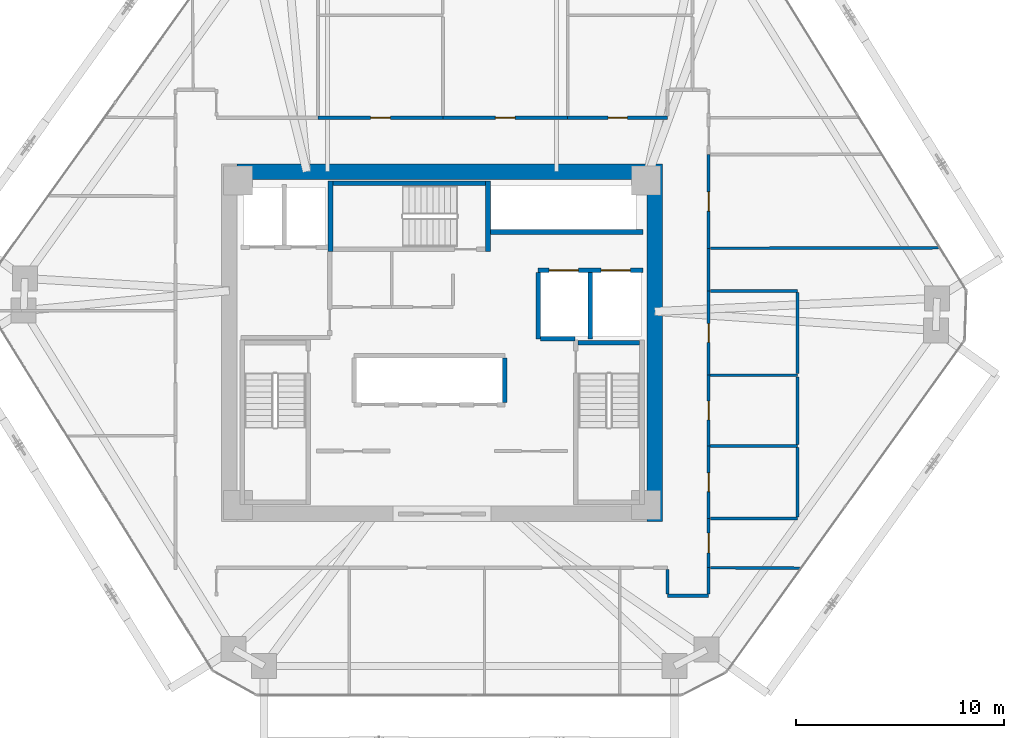
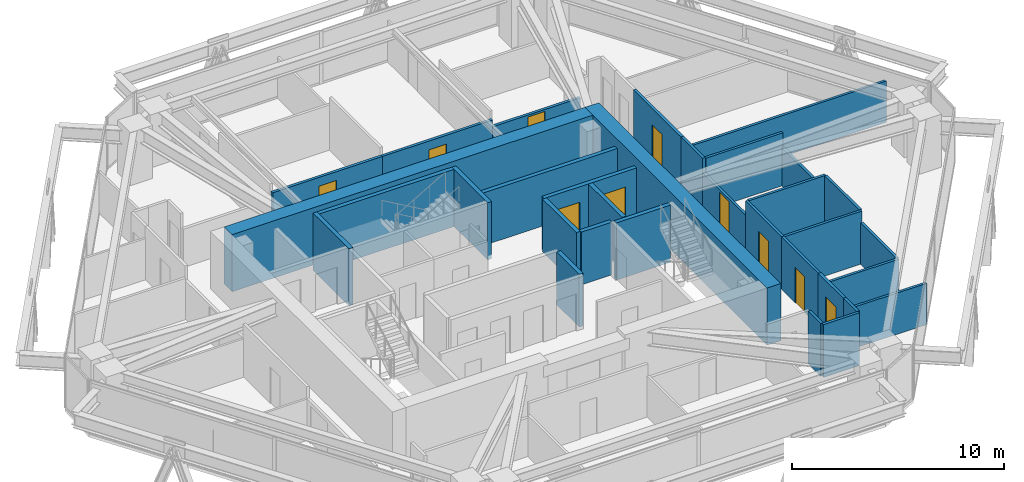
# One storey, part 14 of 16: 33 walls, 10 doors, 10 openings.
"""IFC4 building model written with IfcOpenShell, lengths in metres."""

from ifc_helpers import new_model, si_unit, direction, frame, frame_2d, origin, place, context, subcontext, project, spatial, rectangle, extrude, source, transform, mapped, material, layer, layer_set, type_object, type_shapes, element, fill, save


model = new_model("IFC4")

# Units and contexts
model_context = context("Model", 3, precision=1e-05, world=origin(), true_north=direction((0.0, 1.0)))
body_context = subcontext(model_context, "Body", "Model", "MODEL_VIEW")
ifc_project = project(units=[si_unit("LENGTHUNIT", "METRE"), si_unit("AREAUNIT", "SQUARE_METRE"), si_unit("VOLUMEUNIT", "CUBIC_METRE"), si_unit("PLANEANGLEUNIT", "RADIAN"), si_unit("MASSUNIT", "GRAM", prefix="KILO")], contexts=[model_context])

# Site, building, storey
site_placement = place(None, origin())
site = spatial("IfcSite", under=ifc_project, at=site_placement, CompositionType="ELEMENT")
building_placement = place(site_placement, origin())
building = spatial("IfcBuilding", under=site, at=building_placement, Name="Durnholm Broadcast Tower", CompositionType="ELEMENT")
storey_placement = place(building_placement, frame((0.0, 0.0, 117.300048828125)))
storey = spatial("IfcBuildingStorey", under=building, at=storey_placement, Name="L31", CompositionType="ELEMENT", Elevation=117.300048828125)

# Walls
ifc_material_1 = material(Name="Concrete C70/85", Category="concrete")
ifc_layer_1 = layer(ifc_material_1, 0.75)
ifc_layer_set_1 = layer_set([ifc_layer_1], Name="Concrete C70/85")
wall_type_1 = type_object("IfcWallType", Name="WALL-CW-750", PredefinedType="SHEAR", material=ifc_layer_set_1)
wall_1_placement = place(storey_placement, frame((10.22509765625, -8.60009765625, 0.0), z_axis=(0.0, 0.0, 1.0), x_axis=(0.0, 1.0, 0.0)))
element("IfcWall", 1, at=wall_1_placement, inside=storey, type_object=wall_type_1, Name="L31 central core shear wall CW-EAST", PredefinedType="SHEAR", context=body_context, shape_type="SweptSolid", body=[
    extrude(rectangle(XDim=17.2001953125, YDim=0.75, at=frame_2d((8.60009765625, 0.0))), origin(), (0.0, 0.0, 1.0), 3.300048828125),
])
wall_2_placement = place(storey_placement, frame((-9.85009765625, 8.22509765625, 0.0), z_axis=(0.0, 0.0, 1.0), x_axis=(1.0, 0.0, 0.0)))
element("IfcWall", 2, at=wall_2_placement, inside=storey, type_object=wall_type_1, Name="L31 central core shear wall CW-N", PredefinedType="SHEAR", context=body_context, shape_type="SweptSolid", body=[
    extrude(rectangle(XDim=19.7001953125, YDim=0.75, at=frame_2d((9.85009765625, 0.0))), origin(), (0.0, 0.0, 1.0), 3.300048828125),
])
ifc_material_2 = material(Name="Gypsum Metal Stud Partition", Category="concrete")
ifc_layer_2 = layer(ifc_material_2, 0.135009765625)
ifc_layer_set_2 = layer_set([ifc_layer_2], Name="Gypsum Metal Stud Partition")
wall_type_2 = type_object("IfcWallType", Name="WALL-PART-135", PredefinedType="PARTITIONING", material=ifc_layer_set_2)
wall_3_placement = place(storey_placement, frame((12.888916015625, -10.810302734375, 0.0), z_axis=(0.0, 0.0, 1.0), x_axis=(0.999986140562, -0.005264853658, 0.0)))
element("IfcWall", 3, at=wall_3_placement, inside=storey, type_object=wall_type_2, Name="L31 room dividing partition 19.24", PredefinedType="PARTITIONING", context=body_context, shape_type="SweptSolid", body=[
    extrude(rectangle(XDim=4.35888671875, YDim=0.135009765625, at=frame_2d((2.179443359375, 0.0))), origin(), (0.0, 0.0, 1.0), 2.3798828125),
])
wall_4_placement = place(storey_placement, frame((12.888916015625, 4.5400390625, 0.0), z_axis=(0.0, 0.0, 1.0), x_axis=(0.999998190037, 0.00190260933, 0.0)))
element("IfcWall", 4, at=wall_4_placement, inside=storey, type_object=wall_type_2, Name="L31 room dividing partition 24.25", PredefinedType="PARTITIONING", context=body_context, shape_type="SweptSolid", body=[
    extrude(rectangle(XDim=11.035400390625, YDim=0.135009765625, at=frame_2d((5.517578125, 0.0))), origin(), (0.0, 0.0, 1.0), 2.3798828125),
])

# Wall, opening, door
ifc_material_3 = material(Name="Acoustic Gypsum Stud Partition", Category="concrete")
ifc_layer_3 = layer(ifc_material_3, 0.14990234375)
ifc_layer_set_3 = layer_set([ifc_layer_3], Name="Acoustic Gypsum Stud Partition")
wall_type_3 = type_object("IfcWallType", Name="WALL-PART-150", PredefinedType="PARTITIONING", material=ifc_layer_set_3)
wall_5_placement = place(storey_placement, frame((0.0400390625, 10.81005859375, 0.0), z_axis=(0.0, 0.0, 1.0), x_axis=(-1.0, 0.0, 0.0)))
wall_5 = element("IfcWall", 5, at=wall_5_placement, inside=storey, type_object=wall_type_3, Name="L31 Affiliate Dining Room corridor partition", PredefinedType="PARTITIONING", context=body_context, shape_type="SweptSolid", body=[
    extrude(rectangle(XDim=6.0, YDim=0.14990234375, at=frame_2d((3.0, 0.0))), origin(), (0.0, 0.0, 1.0), 2.608154296875),
])
opening_1_placement = place(wall_5_placement, frame((2.52490234375, 0.0, 0.0)))
opening_1 = element("IfcOpeningElement", 6, at=opening_1_placement, cuts=wall_5, Name="Opening DR-95L", PredefinedType="OPENING", context=body_context, shape_type="SweptSolid", body=[
    extrude(rectangle(XDim=0.949951171875, YDim=2.10009765625, at=frame_2d((0.47509765625, 1.050048828125))), frame((0.0, 0.0849609375, 0.0), z_axis=(0.0, -1.0, 0.0), x_axis=(1.0, 0.0, 0.0)), (0.0, 0.0, 1.0), 0.169921875),
])
ifc_material_4 = material(Name="Acoustic Oak Veneer Timber Door", Category="wood")
ifc_layer_4 = layer(ifc_material_4, 0.050048828125)
ifc_layer_set_4 = layer_set([ifc_layer_4], Name="Acoustic Oak Veneer Timber Door")
door_type_1 = type_object("IfcDoorType", Name="DOOR-RM-950L", OperationType="NOTDEFINED", PredefinedType="DOOR", material=ifc_layer_set_4)
shared_shape_1 = source(origin(), body_context, "Body", "SweptSolid", [
    extrude(rectangle(XDim=0.949951171875, YDim=2.10009765625, at=frame_2d((0.47509765625, 1.050048828125))), frame((0.0, 0.02490234375, 0.0), z_axis=(0.0, -1.0, 0.0), x_axis=(1.0, 0.0, 0.0)), (0.0, 0.0, 1.0), 0.050048828125),
])
type_shapes(door_type_1, [shared_shape_1])
door_1_placement = place(opening_1_placement, origin())
door_1 = element("IfcDoor", 7, at=door_1_placement, inside=storey, type_object=door_type_1, Name="L31 Affiliate Dining Room entrance door", OperationType="SINGLE_SWING_LEFT", OverallHeight=2.10009765625, OverallWidth=0.949951171875, PredefinedType="DOOR", context=body_context, shape_type="MappedRepresentation", body=[
    mapped(shared_shape_1, transform((0.0, 0.0, 0.0), x_axis=(1.0, 0.0, 0.0), y_axis=(0.0, 1.0, 0.0), z_axis=(0.0, 0.0, 1.0), scale=1.0)),
])
fill(opening_1, door_1)

wall_6_placement = place(storey_placement, frame((6.0400390625, 10.81005859375, 0.0), z_axis=(0.0, 0.0, 1.0), x_axis=(-1.0, 0.0, 0.0)))
wall_6 = element("IfcWall", 8, at=wall_6_placement, inside=storey, type_object=wall_type_3, Name="L31 Research Meeting Room corridor partition", PredefinedType="PARTITIONING", context=body_context, shape_type="SweptSolid", body=[
    extrude(rectangle(XDim=6.0, YDim=0.14990234375, at=frame_2d((3.0, 0.0))), origin(), (0.0, 0.0, 1.0), 2.608154296875),
])
opening_2_placement = place(wall_6_placement, frame((2.52490234375, 0.0, 0.0)))
opening_2 = element("IfcOpeningElement", 9, at=opening_2_placement, cuts=wall_6, Name="Opening DR-95R", PredefinedType="OPENING", context=body_context, shape_type="SweptSolid", body=[
    extrude(rectangle(XDim=0.949951171875, YDim=2.10009765625, at=frame_2d((0.47509765625, 1.050048828125))), frame((0.0, 0.0849609375, 0.0), z_axis=(0.0, -1.0, 0.0), x_axis=(1.0, 0.0, 0.0)), (0.0, 0.0, 1.0), 0.169921875),
])
ifc_layer_5 = layer(ifc_material_4, 0.050048828125)
ifc_layer_set_5 = layer_set([ifc_layer_5], Name="Acoustic Oak Veneer Timber Door")
door_type_2 = type_object("IfcDoorType", Name="DOOR-RM-950R", OperationType="NOTDEFINED", PredefinedType="DOOR", material=ifc_layer_set_5)
shared_shape_2 = source(origin(), body_context, "Body", "SweptSolid", [
    extrude(rectangle(XDim=0.949951171875, YDim=2.10009765625, at=frame_2d((0.47509765625, 1.050048828125))), frame((0.0, 0.02490234375, 0.0), z_axis=(0.0, -1.0, 0.0), x_axis=(1.0, 0.0, 0.0)), (0.0, 0.0, 1.0), 0.050048828125),
])
type_shapes(door_type_2, [shared_shape_2])
door_2_placement = place(opening_2_placement, origin())
door_2 = element("IfcDoor", 10, at=door_2_placement, inside=storey, type_object=door_type_2, Name="L31 Research Meeting Room entrance door", OperationType="SINGLE_SWING_RIGHT", OverallHeight=2.10009765625, OverallWidth=0.949951171875, PredefinedType="DOOR", context=body_context, shape_type="MappedRepresentation", body=[
    mapped(shared_shape_2, transform((0.0, 0.0, 0.0), x_axis=(1.0, 0.0, 0.0), y_axis=(0.0, 1.0, 0.0), z_axis=(0.0, 0.0, 1.0), scale=1.0)),
])
fill(opening_2, door_2)

wall_7_placement = place(storey_placement, frame((10.840087890625, 10.81005859375, 0.0), z_axis=(0.0, 0.0, 1.0), x_axis=(-1.0, 0.0, 0.0)))
wall_7 = element("IfcWall", 11, at=wall_7_placement, inside=storey, type_object=wall_type_3, Name="L31 Hospitality Kitchen corridor partition", PredefinedType="PARTITIONING", context=body_context, shape_type="SweptSolid", body=[
    extrude(rectangle(XDim=4.800048828125, YDim=0.14990234375, at=frame_2d((2.39990234375, 0.0))), origin(), (0.0, 0.0, 1.0), 2.212158203125),
])
opening_3_placement = place(wall_7_placement, frame((1.93994140625, 0.0, 0.0)))
opening_3 = element("IfcOpeningElement", 12, at=opening_3_placement, cuts=wall_7, Name="Opening DR-92L", PredefinedType="OPENING", context=body_context, shape_type="SweptSolid", body=[
    extrude(rectangle(XDim=0.919921875, YDim=2.10009765625, at=frame_2d((0.4599609375, 1.050048828125))), frame((0.0, 0.0849609375, 0.0), z_axis=(0.0, -1.0, 0.0), x_axis=(1.0, 0.0, 0.0)), (0.0, 0.0, 1.0), 0.169921875),
])
ifc_material_5 = material(Name="Oak Veneer Office Door", Category="wood")
ifc_layer_6 = layer(ifc_material_5, 0.050048828125)
ifc_layer_set_6 = layer_set([ifc_layer_6], Name="Oak Veneer Office Door")
door_type_3 = type_object("IfcDoorType", Name="DOOR-RM-920L", OperationType="NOTDEFINED", PredefinedType="DOOR", material=ifc_layer_set_6)
shared_shape_3 = source(origin(), body_context, "Body", "SweptSolid", [
    extrude(rectangle(XDim=0.919921875, YDim=2.10009765625, at=frame_2d((0.4599609375, 1.050048828125))), frame((0.0, 0.02490234375, 0.0), z_axis=(0.0, -1.0, 0.0), x_axis=(1.0, 0.0, 0.0)), (0.0, 0.0, 1.0), 0.050048828125),
])
type_shapes(door_type_3, [shared_shape_3])
door_3_placement = place(opening_3_placement, origin())
door_3 = element("IfcDoor", 13, at=door_3_placement, inside=storey, type_object=door_type_3, Name="L31 Hospitality Kitchen entrance door", OperationType="SINGLE_SWING_LEFT", OverallHeight=2.10009765625, OverallWidth=0.919921875, PredefinedType="DOOR", context=body_context, shape_type="MappedRepresentation", body=[
    mapped(shared_shape_3, transform((0.0, 0.0, 0.0), x_axis=(1.0, 0.0, 0.0), y_axis=(0.0, 1.0, 0.0), z_axis=(0.0, 0.0, 1.0), scale=1.0)),
])
fill(opening_3, door_3)

# Walls
wall_8_placement = place(storey_placement, frame((10.840087890625, -12.159912109375, 0.0), z_axis=(0.0, 0.0, 1.0), x_axis=(1.0, 0.0, 0.0)))
element("IfcWall", 14, at=wall_8_placement, inside=storey, type_object=wall_type_3, Name="L31 Open Plan Broadcast Workspace 1 corridor partition", PredefinedType="PARTITIONING", context=body_context, shape_type="SweptSolid", body=[
    extrude(rectangle(XDim=1.969970703125, YDim=0.14990234375, at=frame_2d((0.98486328125, 0.0))), origin(), (0.0, 0.0, 1.0), 3.044921875),
])
wall_9_placement = place(storey_placement, frame((10.840087890625, -10.888916015625, 0.0), z_axis=(0.0, 0.0, 1.0), x_axis=(0.0, -1.0, 0.0)))
element("IfcWall", 15, at=wall_9_placement, inside=storey, type_object=wall_type_3, Name="L31 Open Plan Broadcast Workspace 1 corridor partition", PredefinedType="PARTITIONING", context=body_context, shape_type="SweptSolid", body=[
    extrude(rectangle(XDim=1.192138671875, YDim=0.14990234375, at=frame_2d((0.59619140625, 0.0))), origin(), (0.0, 0.0, 1.0), 3.044921875),
])
wall_10_placement = place(storey_placement, frame((12.81005859375, -12.0810546875, 0.0), z_axis=(0.0, 0.0, 1.0), x_axis=(0.0, 1.0, 0.0)))
element("IfcWall", 16, at=wall_10_placement, inside=storey, type_object=wall_type_3, Name="L31 Open Plan Broadcast Workspace 1 corridor partition", PredefinedType="PARTITIONING", context=body_context, shape_type="SweptSolid", body=[
    extrude(rectangle(XDim=1.27099609375, YDim=0.14990234375, at=frame_2d((0.635498046875, 0.0))), origin(), (0.0, 0.0, 1.0), 3.044921875),
])

# Wall, opening, door
wall_11_placement = place(storey_placement, frame((12.81005859375, -10.81005859375, 0.0), z_axis=(0.0, 0.0, 1.0), x_axis=(0.0, 1.0, 0.0)))
wall_11 = element("IfcWall", 17, at=wall_11_placement, inside=storey, type_object=wall_type_3, Name="L31 Open Plan Broadcast Workspace 6 corridor partition", PredefinedType="PARTITIONING", context=body_context, shape_type="SweptSolid", body=[
    extrude(rectangle(XDim=2.3701171875, YDim=0.14990234375, at=frame_2d((1.18505859375, 0.0))), origin(), (0.0, 0.0, 1.0), 3.044921875),
])
opening_4_placement = place(wall_11_placement, frame((0.7099609375, 0.0, 0.0)))
opening_4 = element("IfcOpeningElement", 18, at=opening_4_placement, cuts=wall_11, Name="Opening DR-95L", PredefinedType="OPENING", context=body_context, shape_type="SweptSolid", body=[
    extrude(rectangle(XDim=0.949951171875, YDim=2.10009765625, at=frame_2d((0.47509765625, 1.050048828125))), frame((0.0, 0.0849609375, 0.0), z_axis=(0.0, -1.0, 0.0), x_axis=(1.0, 0.0, 0.0)), (0.0, 0.0, 1.0), 0.169921875),
])
door_4_placement = place(opening_4_placement, origin())
door_4 = element("IfcDoor", 19, at=door_4_placement, inside=storey, type_object=door_type_1, Name="L31 Open Plan Broadcast Workspace 6 entrance door", OperationType="SINGLE_SWING_LEFT", OverallHeight=2.10009765625, OverallWidth=0.949951171875, PredefinedType="DOOR", context=body_context, shape_type="MappedRepresentation", body=[
    mapped(shared_shape_1, transform((0.0, 0.0, 0.0), x_axis=(1.0, 0.0, 0.0), y_axis=(0.0, 1.0, 0.0), z_axis=(0.0, 0.0, 1.0), scale=1.0)),
])
fill(opening_4, door_4)

# Wall
wall_12_placement = place(storey_placement, frame((12.81005859375, 2.489990234375, 0.0), z_axis=(0.0, 0.0, 1.0), x_axis=(0.0, 1.0, 0.0)))
element("IfcWall", 20, at=wall_12_placement, inside=storey, type_object=wall_type_3, Name="L31 Open Plan Broadcast Workspace 6 corridor partition", PredefinedType="PARTITIONING", context=body_context, shape_type="SweptSolid", body=[
    extrude(rectangle(XDim=2.050048828125, YDim=0.14990234375, at=frame_2d((1.02490234375, 0.0))), origin(), (0.0, 0.0, 1.0), 3.044921875),
])

# Wall, opening, door
wall_13_placement = place(storey_placement, frame((12.81005859375, 4.5400390625, 0.0), z_axis=(0.0, 0.0, 1.0), x_axis=(0.0, 1.0, 0.0)))
wall_13 = element("IfcWall", 21, at=wall_13_placement, inside=storey, type_object=wall_type_3, Name="L31 Media Lounge corridor partition", PredefinedType="PARTITIONING", context=body_context, shape_type="SweptSolid", body=[
    extrude(rectangle(XDim=4.5, YDim=0.14990234375, at=frame_2d((2.25, 0.0))), origin(), (0.0, 0.0, 1.0), 3.044921875),
])
opening_5_placement = place(wall_13_placement, frame((1.7900390625, 0.0, 0.0)))
opening_5 = element("IfcOpeningElement", 22, at=opening_5_placement, cuts=wall_13, Name="Opening DR-92R", PredefinedType="OPENING", context=body_context, shape_type="SweptSolid", body=[
    extrude(rectangle(XDim=0.919921875, YDim=2.10009765625, at=frame_2d((0.4599609375, 1.050048828125))), frame((0.0, 0.0849609375, 0.0), z_axis=(0.0, -1.0, 0.0), x_axis=(1.0, 0.0, 0.0)), (0.0, 0.0, 1.0), 0.169921875),
])
ifc_layer_7 = layer(ifc_material_5, 0.050048828125)
ifc_layer_set_7 = layer_set([ifc_layer_7], Name="Oak Veneer Office Door")
door_type_4 = type_object("IfcDoorType", Name="DOOR-RM-920R", OperationType="NOTDEFINED", PredefinedType="DOOR", material=ifc_layer_set_7)
shared_shape_4 = source(origin(), body_context, "Body", "SweptSolid", [
    extrude(rectangle(XDim=0.919921875, YDim=2.10009765625, at=frame_2d((0.4599609375, 1.050048828125))), frame((0.0, 0.02490234375, 0.0), z_axis=(0.0, -1.0, 0.0), x_axis=(1.0, 0.0, 0.0)), (0.0, 0.0, 1.0), 0.050048828125),
])
type_shapes(door_type_4, [shared_shape_4])
door_5_placement = place(opening_5_placement, origin())
door_5 = element("IfcDoor", 23, at=door_5_placement, inside=storey, type_object=door_type_4, Name="L31 Media Lounge entrance door", OperationType="SINGLE_SWING_RIGHT", OverallHeight=2.10009765625, OverallWidth=0.919921875, PredefinedType="DOOR", context=body_context, shape_type="MappedRepresentation", body=[
    mapped(shared_shape_4, transform((0.0, 0.0, 0.0), x_axis=(1.0, 0.0, 0.0), y_axis=(0.0, 1.0, 0.0), z_axis=(0.0, 0.0, 1.0), scale=1.0)),
])
fill(opening_5, door_5)

# Wall, openings, doors
ifc_material_6 = material(Name="Concrete Blockwork C30/37", Category="masonry")
ifc_layer_8 = layer(ifc_material_6, 0.219970703125)
ifc_layer_set_8 = layer_set([ifc_layer_8], Name="Concrete Blockwork C30/37")
wall_type_4 = type_object("IfcWallType", Name="WALL-SHAFT-220", PredefinedType="SOLIDWALL", material=ifc_layer_set_8)
wall_14_placement = place(storey_placement, frame((4.60009765625, 3.47998046875, 0.0), z_axis=(0.0, 0.0, 1.0), x_axis=(1.0, 0.0, 0.0)))
wall_14 = element("IfcWall", 24, at=wall_14_placement, inside=storey, type_object=wall_type_4, Name="L31 freight service lifts north front wall", PredefinedType="SOLIDWALL", context=body_context, shape_type="SweptSolid", body=[
    extrude(rectangle(XDim=5.0498046875, YDim=0.219970703125, at=frame_2d((2.52490234375, 0.0))), origin(), (0.0, 0.0, 1.0), 3.044921875),
])
opening_6_placement = place(wall_14_placement, frame((0.550048828125, 0.0, 0.0)))
opening_6 = element("IfcOpeningElement", 25, at=opening_6_placement, cuts=wall_14, Name="Opening LD-SVL-2", PredefinedType="OPENING", context=body_context, shape_type="SweptSolid", body=[
    extrude(rectangle(XDim=1.39990234375, YDim=2.14990234375, at=frame_2d((0.699951171875, 1.074951171875))), frame((0.0, 0.1201171875, 0.0), z_axis=(0.0, -1.0, 0.0), x_axis=(1.0, 0.0, 0.0)), (0.0, 0.0, 1.0), 0.239990234375),
])
opening_7_placement = place(wall_14_placement, frame((3.050048828125, 0.0, 0.0)))
opening_7 = element("IfcOpeningElement", 26, at=opening_7_placement, cuts=wall_14, Name="Opening LD-SVL-1", PredefinedType="OPENING", context=body_context, shape_type="SweptSolid", body=[
    extrude(rectangle(XDim=1.39990234375, YDim=2.14990234375, at=frame_2d((0.699951171875, 1.074951171875))), frame((0.0, 0.1201171875, 0.0), z_axis=(0.0, -1.0, 0.0), x_axis=(1.0, 0.0, 0.0)), (0.0, 0.0, 1.0), 0.239990234375),
])
ifc_material_7 = material(Name="Freight Elevator Bi-Parting Sliding Landing Door", Category="steel")
ifc_layer_9 = layer(ifc_material_7, 0.050048828125)
ifc_layer_set_9 = layer_set([ifc_layer_9], Name="Freight Elevator Bi-Parting Sliding Landing Door")
door_type_5 = type_object("IfcDoorType", Name="DOOR-LIFT-SVL", OperationType="DOUBLE_DOOR_SLIDING", PredefinedType="DOOR", material=ifc_layer_set_9)
shared_shape_5 = source(origin(), body_context, "Body", "SweptSolid", [
    extrude(rectangle(XDim=1.39990234375, YDim=2.14990234375, at=frame_2d((0.699951171875, 1.074951171875))), frame((0.0, 0.02490234375, 0.0), z_axis=(0.0, -1.0, 0.0), x_axis=(1.0, 0.0, 0.0)), (0.0, 0.0, 1.0), 0.050048828125),
])
type_shapes(door_type_5, [shared_shape_5])
door_6_placement = place(opening_6_placement, origin())
door_6 = element("IfcDoor", 27, at=door_6_placement, inside=storey, type_object=door_type_5, Name="L31 freight service elevator SVL-2 sliding landing door", OperationType="DOUBLE_DOOR_SLIDING", OverallHeight=2.14990234375, OverallWidth=1.39990234375, PredefinedType="DOOR", context=body_context, shape_type="MappedRepresentation", body=[
    mapped(shared_shape_5, transform((0.0, 0.0, 0.0), x_axis=(1.0, 0.0, 0.0), y_axis=(0.0, 1.0, 0.0), z_axis=(0.0, 0.0, 1.0), scale=1.0)),
])
fill(opening_6, door_6)
door_7_placement = place(opening_7_placement, origin())
door_7 = element("IfcDoor", 28, at=door_7_placement, inside=storey, type_object=door_type_5, Name="L31 freight service elevator SVL-1 sliding landing door", OperationType="DOUBLE_DOOR_SLIDING", OverallHeight=2.14990234375, OverallWidth=1.39990234375, PredefinedType="DOOR", context=body_context, shape_type="MappedRepresentation", body=[
    mapped(shared_shape_5, transform((0.0, 0.0, 0.0), x_axis=(1.0, 0.0, 0.0), y_axis=(0.0, 1.0, 0.0), z_axis=(0.0, 0.0, 1.0), scale=1.0)),
])
fill(opening_7, door_7)

# Walls
for number, where, z_axis, x_axis, name in (
    (29, (4.6201171875, 0.179931640625, 0.0), (0.0, 0.0, 1.0), (0.0, 1.0, 0.0), "L31 freight service lift SVL-2 west wall"),
    (30, (7.1201171875, 0.179931640625, 0.0), (0.0, 0.0, 1.0), (0.0, 1.0, 0.0), "L31 freight service lifts divider wall"),
):
    element("IfcWall", number, at=place(storey_placement, frame(where, z_axis=z_axis, x_axis=x_axis)), inside=storey, type_object=wall_type_4, Name=name, PredefinedType="SOLIDWALL", context=body_context, shape_type="SweptSolid", body=[
        extrude(rectangle(XDim=3.18603515625, YDim=0.219970703125, at=frame_2d((1.593017578125, 0.0))), origin(), (0.0, 0.0, 1.0), 3.044921875),
    ])
wall_15_placement = place(storey_placement, frame((4.73388671875, 0.199951171875, 0.0), z_axis=(0.0, 0.0, 1.0), x_axis=(1.0, 0.0, 0.0)))
element("IfcWall", 31, at=wall_15_placement, inside=storey, type_object=wall_type_4, Name="L31 freight service lift SVL-2 south wall", PredefinedType="SOLIDWALL", context=body_context, shape_type="SweptSolid", body=[
    extrude(rectangle(XDim=1.666015625, YDim=0.219970703125, at=frame_2d((0.8330078125, 0.0))), origin(), (0.0, 0.0, 1.0), 3.044921875),
])
wall_16_placement = place(storey_placement, frame((3.02001953125, -2.865966796875, 0.0), z_axis=(0.0, 0.0, 1.0), x_axis=(0.0, 1.0, 0.0)))
element("IfcWall", 32, at=wall_16_placement, inside=storey, type_object=wall_type_4, Name="L31 mid-rise bank P2 east shaft wall", PredefinedType="SOLIDWALL", context=body_context, shape_type="SweptSolid", body=[
    extrude(rectangle(XDim=2.132080078125, YDim=0.219970703125, at=frame_2d((1.06591796875, 0.0))), origin(), (0.0, 0.0, 1.0), 3.044921875),
])
wall_17_placement = place(storey_placement, frame((2.324951171875, 5.320068359375, 0.0), z_axis=(0.0, 0.0, 1.0), x_axis=(1.0, 0.0, 0.0)))
element("IfcWall", 33, at=wall_17_placement, inside=storey, type_object=wall_type_4, Name="L31 high-rise bank P3 south front wall", PredefinedType="SOLIDWALL", context=body_context, shape_type="SweptSolid", body=[
    extrude(rectangle(XDim=7.324951171875, YDim=0.219970703125, at=frame_2d((3.66259765625, 0.0))), origin(), (0.0, 0.0, 1.0), 3.044921875),
])
ifc_material_8 = material(Name="Concrete C50/60", Category="concrete")
ifc_layer_10 = layer(ifc_material_8, 0.219970703125)
ifc_layer_set_10 = layer_set([ifc_layer_10], Name="Concrete C50/60")
wall_type_5 = type_object("IfcWallType", Name="WALL-SW-220", PredefinedType="SHEAR", material=ifc_layer_set_10)
wall_18_placement = place(storey_placement, frame((9.5, 0.010009765625, -0.239990234375), z_axis=(0.0, 0.0, 1.0), x_axis=(-1.0, 0.0, 0.0)))
element("IfcWall", 34, at=wall_18_placement, inside=storey, type_object=wall_type_5, Name="L31 stair ST-2 structural shaft wall N", PredefinedType="SHEAR", context=body_context, shape_type="SweptSolid", body=[
    extrude(rectangle(XDim=2.9599609375, YDim=0.219970703125, at=frame_2d((1.47998046875, 0.0))), origin(), (0.0, 0.0, 1.0), 3.300048828125),
])
for number, where, z_axis, x_axis, name in (
    (35, (2.2099609375, 4.3798828125, -0.239990234375), (0.0, 0.0, 1.0), (0.0, 1.0, 0.0), "L31 stair ST-3 structural shaft wall E"),
    (36, (-5.360107421875, 7.780029296875, -0.239990234375), (0.0, 0.0, 1.0), (0.0, -1.0, 0.0), "L31 stair ST-3 structural shaft wall W"),
):
    element("IfcWall", number, at=place(storey_placement, frame(where, z_axis=z_axis, x_axis=x_axis)), inside=storey, type_object=wall_type_5, Name=name, PredefinedType="SHEAR", context=body_context, shape_type="SweptSolid", body=[
        extrude(rectangle(XDim=3.400146484375, YDim=0.219970703125, at=frame_2d((1.7001953125, 0.0))), origin(), (0.0, 0.0, 1.0), 3.300048828125),
    ])
wall_19_placement = place(storey_placement, frame((2.10009765625, 7.669921875, -0.239990234375), z_axis=(0.0, 0.0, 1.0), x_axis=(-1.0, 0.0, 0.0)))
element("IfcWall", 37, at=wall_19_placement, inside=storey, type_object=wall_type_5, Name="L31 stair ST-3 structural shaft wall N", PredefinedType="SHEAR", context=body_context, shape_type="SweptSolid", body=[
    extrude(rectangle(XDim=7.35009765625, YDim=0.219970703125, at=frame_2d((3.675048828125, 0.0))), origin(), (0.0, 0.0, 1.0), 3.300048828125),
])

# Wall, opening, door
ifc_material_9 = material(Name="Moisture-Resistant Tile Partition", Category="concrete")
ifc_layer_11 = layer(ifc_material_9, 0.139892578125)
ifc_layer_set_11 = layer_set([ifc_layer_11], Name="Moisture-Resistant Tile Partition")
wall_type_6 = type_object("IfcWallType", Name="WALL-WC-140", PredefinedType="PARTITIONING", material=ifc_layer_set_11)
wall_20_placement = place(storey_placement, frame((12.81005859375, -8.43994140625, 0.0), z_axis=(0.0, 0.0, 1.0), x_axis=(0.0, 1.0, 0.0)))
wall_20 = element("IfcWall", 38, at=wall_20_placement, inside=storey, type_object=wall_type_6, Name="L31 Men's Restroom corridor partition", PredefinedType="PARTITIONING", context=body_context, shape_type="SweptSolid", body=[
    extrude(rectangle(XDim=3.47998046875, YDim=0.139892578125, at=frame_2d((1.739990234375, 0.0))), origin(), (0.0, 0.0, 1.0), 3.044921875),
])
opening_8_placement = place(wall_20_placement, frame((1.2900390625, 0.0, 0.0)))
opening_8 = element("IfcOpeningElement", 39, at=opening_8_placement, cuts=wall_20, Name="Opening DW-90R", PredefinedType="OPENING", context=body_context, shape_type="SweptSolid", body=[
    extrude(rectangle(XDim=0.89990234375, YDim=2.050048828125, at=frame_2d((0.449951171875, 1.02490234375))), frame((0.0, 0.080078125, 0.0), z_axis=(0.0, -1.0, 0.0), x_axis=(1.0, 0.0, 0.0)), (0.0, 0.0, 1.0), 0.159912109375),
])
ifc_material_10 = material(Name="Laminate Restroom Door", Category="steel")
ifc_layer_12 = layer(ifc_material_10, 0.050048828125)
ifc_layer_set_12 = layer_set([ifc_layer_12], Name="Laminate Restroom Door")
door_type_6 = type_object("IfcDoorType", Name="DOOR-WC-900R", OperationType="NOTDEFINED", PredefinedType="DOOR", material=ifc_layer_set_12)
shared_shape_6 = source(origin(), body_context, "Body", "SweptSolid", [
    extrude(rectangle(XDim=0.89990234375, YDim=2.050048828125, at=frame_2d((0.449951171875, 1.02490234375))), frame((0.0, 0.02490234375, 0.0), z_axis=(0.0, -1.0, 0.0), x_axis=(1.0, 0.0, 0.0)), (0.0, 0.0, 1.0), 0.050048828125),
])
type_shapes(door_type_6, [shared_shape_6])
door_8_placement = place(opening_8_placement, origin())
door_8 = element("IfcDoor", 40, at=door_8_placement, inside=storey, type_object=door_type_6, Name="L31 Men's Restroom entrance door", OperationType="SINGLE_SWING_RIGHT", OverallHeight=2.050048828125, OverallWidth=0.89990234375, PredefinedType="DOOR", context=body_context, shape_type="MappedRepresentation", body=[
    mapped(shared_shape_6, transform((0.0, 0.0, 0.0), x_axis=(1.0, 0.0, 0.0), y_axis=(0.0, 1.0, 0.0), z_axis=(0.0, 0.0, 1.0), scale=1.0)),
])
fill(opening_8, door_8)

wall_21_placement = place(storey_placement, frame((12.81005859375, -4.9599609375, 0.0), z_axis=(0.0, 0.0, 1.0), x_axis=(0.0, 1.0, 0.0)))
wall_21 = element("IfcWall", 41, at=wall_21_placement, inside=storey, type_object=wall_type_6, Name="L31 Women's Restroom corridor partition", PredefinedType="PARTITIONING", context=body_context, shape_type="SweptSolid", body=[
    extrude(rectangle(XDim=3.39990234375, YDim=0.139892578125, at=frame_2d((1.699951171875, 0.0))), origin(), (0.0, 0.0, 1.0), 3.044921875),
])
opening_9_placement = place(wall_21_placement, frame((1.25, 0.0, 0.0)))
opening_9 = element("IfcOpeningElement", 42, at=opening_9_placement, cuts=wall_21, Name="Opening DW-90L", PredefinedType="OPENING", context=body_context, shape_type="SweptSolid", body=[
    extrude(rectangle(XDim=0.89990234375, YDim=2.050048828125, at=frame_2d((0.449951171875, 1.02490234375))), frame((0.0, 0.080078125, 0.0), z_axis=(0.0, -1.0, 0.0), x_axis=(1.0, 0.0, 0.0)), (0.0, 0.0, 1.0), 0.159912109375),
])
ifc_layer_13 = layer(ifc_material_10, 0.050048828125)
ifc_layer_set_13 = layer_set([ifc_layer_13], Name="Laminate Restroom Door")
door_type_7 = type_object("IfcDoorType", Name="DOOR-WC-900L", OperationType="NOTDEFINED", PredefinedType="DOOR", material=ifc_layer_set_13)
shared_shape_7 = source(origin(), body_context, "Body", "SweptSolid", [
    extrude(rectangle(XDim=0.89990234375, YDim=2.050048828125, at=frame_2d((0.449951171875, 1.02490234375))), frame((0.0, 0.02490234375, 0.0), z_axis=(0.0, -1.0, 0.0), x_axis=(1.0, 0.0, 0.0)), (0.0, 0.0, 1.0), 0.050048828125),
])
type_shapes(door_type_7, [shared_shape_7])
door_9_placement = place(opening_9_placement, origin())
door_9 = element("IfcDoor", 43, at=door_9_placement, inside=storey, type_object=door_type_7, Name="L31 Women's Restroom entrance door", OperationType="SINGLE_SWING_LEFT", OverallHeight=2.050048828125, OverallWidth=0.89990234375, PredefinedType="DOOR", context=body_context, shape_type="MappedRepresentation", body=[
    mapped(shared_shape_7, transform((0.0, 0.0, 0.0), x_axis=(1.0, 0.0, 0.0), y_axis=(0.0, 1.0, 0.0), z_axis=(0.0, 0.0, 1.0), scale=1.0)),
])
fill(opening_9, door_9)

wall_22_placement = place(storey_placement, frame((12.81005859375, -1.56005859375, 0.0), z_axis=(0.0, 0.0, 1.0), x_axis=(0.0, 1.0, 0.0)))
wall_22 = element("IfcWall", 44, at=wall_22_placement, inside=storey, type_object=wall_type_6, Name="L31 Accessible Restroom corridor partition", PredefinedType="PARTITIONING", context=body_context, shape_type="SweptSolid", body=[
    extrude(rectangle(XDim=4.050048828125, YDim=0.139892578125, at=frame_2d((2.02490234375, 0.0))), origin(), (0.0, 0.0, 1.0), 2.212158203125),
])
opening_10_placement = place(wall_22_placement, frame((1.574951171875, 0.0, 0.0)))
opening_10 = element("IfcOpeningElement", 45, at=opening_10_placement, cuts=wall_22, Name="Opening DW-90R", PredefinedType="OPENING", context=body_context, shape_type="SweptSolid", body=[
    extrude(rectangle(XDim=0.89990234375, YDim=2.050048828125, at=frame_2d((0.449951171875, 1.02490234375))), frame((0.0, 0.080078125, 0.0), z_axis=(0.0, -1.0, 0.0), x_axis=(1.0, 0.0, 0.0)), (0.0, 0.0, 1.0), 0.159912109375),
])
door_10_placement = place(opening_10_placement, origin())
door_10 = element("IfcDoor", 46, at=door_10_placement, inside=storey, type_object=door_type_6, Name="L31 Accessible Restroom entrance door", OperationType="SINGLE_SWING_RIGHT", OverallHeight=2.050048828125, OverallWidth=0.89990234375, PredefinedType="DOOR", context=body_context, shape_type="MappedRepresentation", body=[
    mapped(shared_shape_6, transform((0.0, 0.0, 0.0), x_axis=(1.0, 0.0, 0.0), y_axis=(0.0, 1.0, 0.0), z_axis=(0.0, 0.0, 1.0), scale=1.0)),
])
fill(opening_10, door_10)

# Walls
wall_23_placement = place(storey_placement, frame((12.884033203125, -4.9599609375, 0.0), z_axis=(0.0, 0.0, 1.0), x_axis=(1.0, 0.0, 0.0)))
element("IfcWall", 47, at=wall_23_placement, inside=storey, type_object=wall_type_6, Name="L31 room dividing partition 5.6", PredefinedType="PARTITIONING", context=body_context, shape_type="SweptSolid", body=[
    extrude(rectangle(XDim=4.2060546875, YDim=0.139892578125, at=frame_2d((2.10302734375, 0.0))), origin(), (0.0, 0.0, 1.0), 3.044921875),
])
wall_24_placement = place(storey_placement, frame((17.090087890625, -8.43994140625, 0.0), z_axis=(0.0, 0.0, 1.0), x_axis=(-1.0, 0.0, 0.0)))
element("IfcWall", 48, at=wall_24_placement, inside=storey, type_object=wall_type_6, Name="L31 room dividing partition 5.24", PredefinedType="PARTITIONING", context=body_context, shape_type="SweptSolid", body=[
    extrude(rectangle(XDim=4.201171875, YDim=0.139892578125, at=frame_2d((2.1005859375, 0.0))), origin(), (0.0, 0.0, 1.0), 2.3798828125),
])
wall_25_placement = place(storey_placement, frame((17.090087890625, -5.033935546875, 0.0), z_axis=(0.0, 0.0, 1.0), x_axis=(0.0, -1.0, 0.0)))
element("IfcWall", 49, at=wall_25_placement, inside=storey, type_object=wall_type_6, Name="L31 room dividing partition 5.24", PredefinedType="PARTITIONING", context=body_context, shape_type="SweptSolid", body=[
    extrude(rectangle(XDim=3.33203125, YDim=0.139892578125, at=frame_2d((1.666015625, 0.0))), origin(), (0.0, 0.0, 1.0), 2.3798828125),
])
wall_26_placement = place(storey_placement, frame((12.884033203125, -1.56005859375, 0.0), z_axis=(0.0, 0.0, 1.0), x_axis=(1.0, 0.0, 0.0)))
element("IfcWall", 50, at=wall_26_placement, inside=storey, type_object=wall_type_6, Name="L31 room dividing partition 6.7", PredefinedType="PARTITIONING", context=body_context, shape_type="SweptSolid", body=[
    extrude(rectangle(XDim=4.2060546875, YDim=0.139892578125, at=frame_2d((2.10302734375, 0.0))), origin(), (0.0, 0.0, 1.0), 3.044921875),
])
wall_27_placement = place(storey_placement, frame((17.090087890625, -1.634033203125, 0.0), z_axis=(0.0, 0.0, 1.0), x_axis=(0.0, -1.0, 0.0)))
element("IfcWall", 51, at=wall_27_placement, inside=storey, type_object=wall_type_6, Name="L31 room dividing partition 6.24", PredefinedType="PARTITIONING", context=body_context, shape_type="SweptSolid", body=[
    extrude(rectangle(XDim=3.251953125, YDim=0.139892578125, at=frame_2d((1.6259765625, 0.0))), origin(), (0.0, 0.0, 1.0), 3.044921875),
])
wall_28_placement = place(storey_placement, frame((12.888916015625, 2.489990234375, 0.0), z_axis=(0.0, 0.0, 1.0), x_axis=(1.0, 0.0, 0.0)))
element("IfcWall", 52, at=wall_28_placement, inside=storey, type_object=wall_type_6, Name="L31 room dividing partition 7.24", PredefinedType="PARTITIONING", context=body_context, shape_type="SweptSolid", body=[
    extrude(rectangle(XDim=4.201171875, YDim=0.139892578125, at=frame_2d((2.1005859375, 0.0))), origin(), (0.0, 0.0, 1.0), 3.044921875),
])
wall_29_placement = place(storey_placement, frame((17.090087890625, 2.416015625, 0.0), z_axis=(0.0, 0.0, 1.0), x_axis=(0.0, -1.0, 0.0)))
element("IfcWall", 53, at=wall_29_placement, inside=storey, type_object=wall_type_6, Name="L31 room dividing partition 7.24", PredefinedType="PARTITIONING", context=body_context, shape_type="SweptSolid", body=[
    extrude(rectangle(XDim=3.902099609375, YDim=0.139892578125, at=frame_2d((1.951171875, 0.0))), origin(), (0.0, 0.0, 1.0), 2.212158203125),
])

save(model, "model.ifc")
